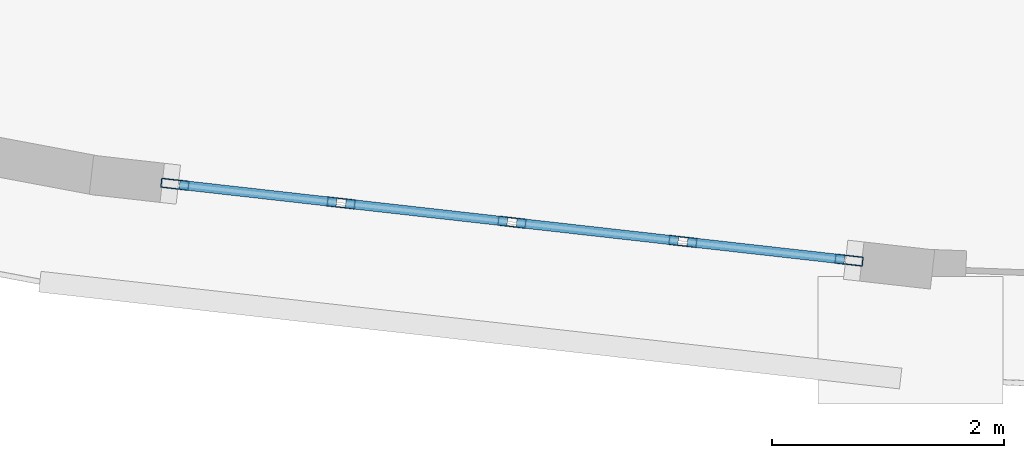
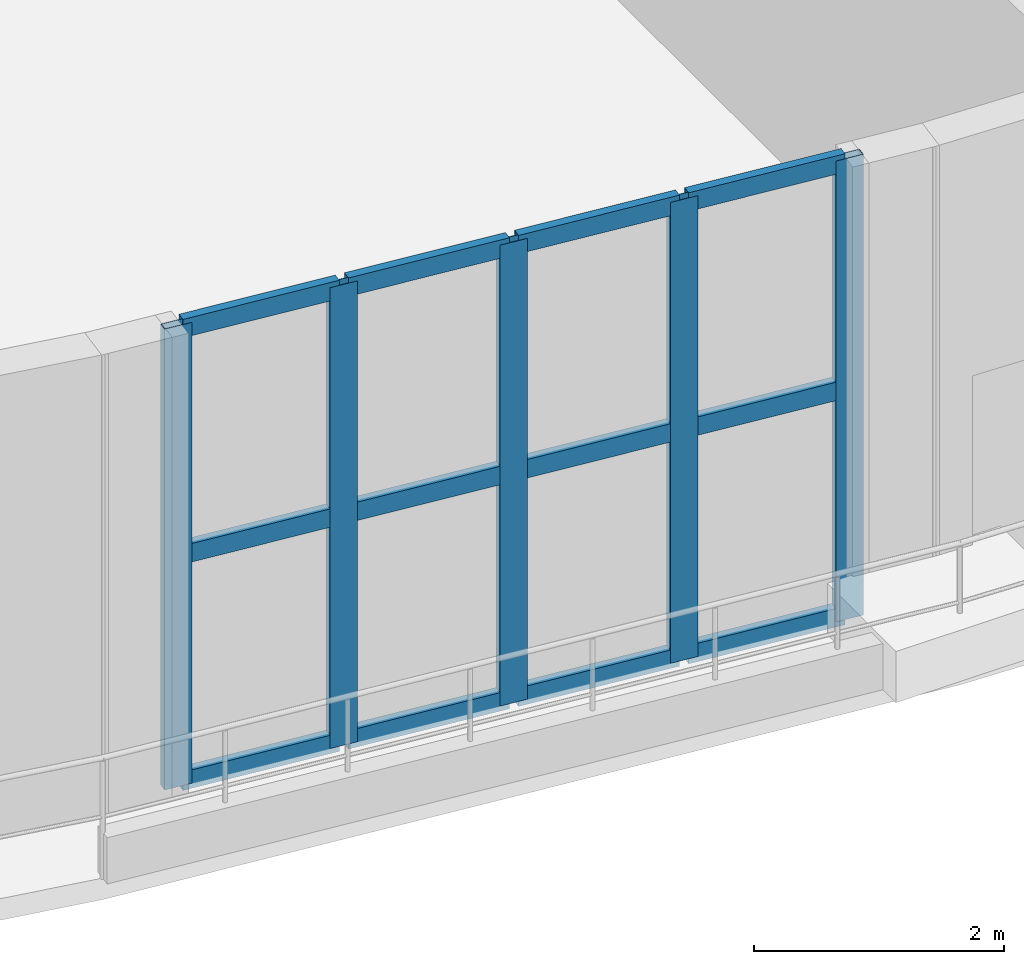
# One storey, part 4 of 25: 17 members, 1 element without a shape of its own.
"""IFC4 building model written with IfcOpenShell, lengths in metres."""

import ifcopenshell
import ifcopenshell.guid

model = None  # the IFC model being written
_history = None  # IfcOwnerHistory: only IFC2X3 demands one
_inside = {}  # id of a spatial element -> (the spatial element, [elements in it])
_under = {}  # id of a project, library or spatial element -> (it, [spatial elements below it])
_declared = {}  # id of a project -> (the project, [libraries it declares])
_typed = {}  # id of a type object -> (the type object, [elements of that type])
_made_of = {}  # id of a material, layer set ... -> (it, [elements and type objects made of it])


def new_model(schema):
    """Start an empty IFC model of exactly this schema.

    Asked for "IFC4X3", IfcOpenShell would pick the latest addendum, in which some entities
    have other attributes; the version numbers below select the first issue.
    IFC2X3 requires an IfcOwnerHistory on every rooted entity: one is made here for all.
    """
    global model, _history
    if schema == "IFC4X3":
        model = ifcopenshell.file(schema_version=(4, 3, 0, 0))
    else:
        model = ifcopenshell.file(schema=schema)
    _inside.clear()
    _under.clear()
    _declared.clear()
    _typed.clear()
    _made_of.clear()
    _history = None
    if model.schema == "IFC2X3":
        org = make("IfcOrganization", Name="unknown")
        user = make(
            "IfcPersonAndOrganization",
            ThePerson=make("IfcPerson", FamilyName="unknown"),
            TheOrganization=org,
        )
        app = make(
            "IfcApplication",
            ApplicationDeveloper=org,
            Version="unknown",
            ApplicationFullName="unknown",
            ApplicationIdentifier="unknown",
        )
        _history = make(
            "IfcOwnerHistory",
            OwningUser=user,
            OwningApplication=app,
            ChangeAction="ADDED",
            CreationDate=0,
        )
    return model


def make(cls, **values):
    """One entity of the class cls with the attributes given. An attribute that is None is left unset."""
    return model.create_entity(
        cls, **{name: value for name, value in values.items() if value is not None}
    )


def rooted(cls, **values):
    """An entity with a GlobalId (a new one), such as an element, a storey or a relation."""
    return make(cls, GlobalId=ifcopenshell.guid.new(), OwnerHistory=_history, **values)


def si_unit(unit_type, name, prefix=None):
    """IfcSIUnit, for example si_unit("LENGTHUNIT", "METRE", prefix="MILLI")."""
    return make("IfcSIUnit", UnitType=unit_type, Prefix=prefix, Name=name)


def assignment(units):
    """IfcUnitAssignment: the units of a project."""
    return None if units is None else make("IfcUnitAssignment", Units=units)


def point(xyz):
    """IfcCartesianPoint."""
    return None if xyz is None else make("IfcCartesianPoint", Coordinates=xyz)


def direction(xyz):
    """IfcDirection."""
    return None if xyz is None else make("IfcDirection", DirectionRatios=xyz)


def frame(location, z_axis=None, x_axis=None):
    """IfcAxis2Placement3D, a coordinate frame: its origin and axes. An axis left out is left unset."""
    return make(
        "IfcAxis2Placement3D",
        Location=point(location),
        Axis=direction(z_axis),
        RefDirection=direction(x_axis),
    )


def frame_2d(location, x_axis=None):
    """IfcAxis2Placement2D, a coordinate frame in the plane: its origin and x axis."""
    return make(
        "IfcAxis2Placement2D", Location=point(location), RefDirection=direction(x_axis)
    )


def origin():
    """The frame at (0, 0, 0) with its axes left unset."""
    return frame((0.0, 0.0, 0.0))


def origin_2d():
    """The frame at (0, 0) in the plane with its x axis left unset."""
    return frame_2d((0.0, 0.0))


def place(relative_to, where):
    """IfcLocalPlacement: puts the frame where relative to a parent placement (None: the world)."""
    return make(
        "IfcLocalPlacement", PlacementRelTo=relative_to, RelativePlacement=where
    )


def context(
    kind, dimensions, precision=None, world=None, true_north=None, identifier=None
):
    """IfcGeometricRepresentationContext, for example the 3D "Model" context."""
    return make(
        "IfcGeometricRepresentationContext",
        ContextIdentifier=identifier,
        ContextType=kind,
        CoordinateSpaceDimension=dimensions,
        Precision=precision,
        WorldCoordinateSystem=world,
        TrueNorth=true_north,
    )


def subcontext(parent, identifier, kind, view, scale=None):
    """IfcGeometricRepresentationSubContext, for example "Body" below "Model"."""
    return make(
        "IfcGeometricRepresentationSubContext",
        ContextIdentifier=identifier,
        ContextType=kind,
        ParentContext=parent,
        TargetScale=scale,
        TargetView=view,
    )


def project(units=None, contexts=None):
    """IfcProject with its units and contexts."""
    return rooted(
        "IfcProject",
        Name="project",
        RepresentationContexts=contexts,
        UnitsInContext=assignment(units),
    )


def spatial(cls, under=None, at=None, **own):
    """A site, building, storey or space (cls), placed at a placement, below another one or the project."""
    s = rooted(cls, ObjectPlacement=at, **own)
    if under is not None:
        _under.setdefault(under.id(), (under, []))[1].append(s)
    return s


def profile(cls, at=None, kind="AREA", **sizes):
    """A parametric profile (cls). Its sizes go by their IFC names, for example OverallWidth=200.0."""
    return make(cls, ProfileType=kind, Position=at, **sizes)


def hollow_rectangle(**sizes):
    """IfcRectangleHollowProfileDef."""
    return profile("IfcRectangleHollowProfileDef", **sizes)


def extrude(swept, where, along, depth):
    """IfcExtrudedAreaSolid: the profile swept, set in the frame where, extruded along a direction by depth."""
    return make(
        "IfcExtrudedAreaSolid",
        SweptArea=swept,
        Position=where,
        ExtrudedDirection=direction(along),
        Depth=depth,
    )


def shape(context_of_items, identifier, shape_type, items):
    """IfcShapeRepresentation: the items that make up one representation, for example the "Body"."""
    return make(
        "IfcShapeRepresentation",
        ContextOfItems=context_of_items,
        RepresentationIdentifier=identifier,
        RepresentationType=shape_type,
        Items=items,
    )


def material(Name=None, Category=None):
    """IfcMaterial."""
    return make("IfcMaterial", Name=Name, Category=Category)


def layer(
    of_material, thickness, ventilated=None, Name=None, Category=None, Priority=None
):
    """IfcMaterialLayer: one layer of a wall or slab, of a material (None: an air gap)."""
    return make(
        "IfcMaterialLayer",
        Material=of_material,
        LayerThickness=thickness,
        IsVentilated=ventilated,
        Name=Name,
        Category=Category,
        Priority=Priority,
    )


def layer_set(layers, Name=None):
    """IfcMaterialLayerSet."""
    return make("IfcMaterialLayerSet", MaterialLayers=layers, LayerSetName=Name)


def material_profile(
    of_material, cross_section, Name=None, Category=None, Priority=None
):
    """IfcMaterialProfile: a cross section and its material."""
    return make(
        "IfcMaterialProfile",
        Name=Name,
        Material=of_material,
        Profile=cross_section,
        Priority=Priority,
        Category=Category,
    )


def profile_set(profiles, Name=None, composite=None):
    """IfcMaterialProfileSet."""
    return make(
        "IfcMaterialProfileSet",
        Name=Name,
        MaterialProfiles=profiles,
        CompositeProfile=composite,
    )


def made_of(thing, what):
    """Note that an element or type object is made of a material, layer set ...; save() writes the relation."""
    if what is not None:
        _made_of.setdefault(what.id(), (what, []))[1].append(thing)
    return thing


def type_object(cls, material=None, **own):
    """A type object (cls), such as IfcWallType, which elements share."""
    return made_of(rooted(cls, **own), material)


def element(
    cls,
    number,
    at=None,
    inside=None,
    cuts=None,
    type_object=None,
    material=None,
    context=None,
    identifier="Body",
    shape_type=None,
    held_by="IfcProductDefinitionShape",
    body=None,
    shapes=None,
    **own,
):
    """One element of the class cls, such as IfcWall. Its Tag is "e" and its number.

    at: its placement. inside: the storey or other place that contains it. cuts: it is an
    opening in that element (IfcRelVoidsElement). A single representation is given by context,
    identifier, shape_type and body (its items); several are given by shapes. held_by: the class
    of the entity that holds the representations. save() writes the other relations.
    """
    e = rooted(cls, Tag="e%d" % number, ObjectPlacement=at, **own)
    if body is not None:
        shapes = [shape(context, identifier, shape_type, body)]
    if shapes is not None:
        e.Representation = make(held_by, Representations=shapes)
    if inside is not None:
        _inside.setdefault(inside.id(), (inside, []))[1].append(e)
    if cuts is not None:
        rooted(
            "IfcRelVoidsElement", RelatingBuildingElement=cuts, RelatedOpeningElement=e
        )
    if type_object is not None:
        _typed.setdefault(type_object.id(), (type_object, []))[1].append(e)
    return made_of(e, material)


def aggregate(whole, parts):
    """IfcRelAggregates: a whole, such as a stair, and the parts it consists of."""
    return rooted("IfcRelAggregates", RelatingObject=whole, RelatedObjects=parts)


def save(model, path):
    """Write the relations noted so far, then the file.

    IfcRelAggregates (storeys below a building ...), IfcRelContainedInSpatialStructure (elements
    in a storey), IfcRelDefinesByType, IfcRelAssociatesMaterial and IfcRelDeclares: one each for
    every whole, place, type object, material and project.
    """
    for whole, parts in _under.values():
        aggregate(whole, parts)
    for where, things in _inside.values():
        rooted(
            "IfcRelContainedInSpatialStructure",
            RelatedElements=things,
            RelatingStructure=where,
        )
    for kind, things in _typed.values():
        rooted("IfcRelDefinesByType", RelatedObjects=things, RelatingType=kind)
    for what, things in _made_of.values():
        rooted("IfcRelAssociatesMaterial", RelatedObjects=things, RelatingMaterial=what)
    for by, libraries in _declared.values():
        rooted("IfcRelDeclares", RelatingContext=by, RelatedDefinitions=libraries)
    model.write(path)


model = new_model("IFC4")

# Units and contexts
model_context = context("Model", 3, precision=1e-05, world=origin(), true_north=direction((0.0, 1.0)))
body_context = subcontext(model_context, "Body", "Model", "MODEL_VIEW")
ifc_project = project(units=[si_unit("LENGTHUNIT", "METRE"), si_unit("AREAUNIT", "SQUARE_METRE"), si_unit("VOLUMEUNIT", "CUBIC_METRE"), si_unit("PLANEANGLEUNIT", "RADIAN"), si_unit("MASSUNIT", "GRAM", prefix="KILO")], contexts=[model_context])

# Site, building, storey
site_placement = place(None, origin())
site = spatial("IfcSite", under=ifc_project, at=site_placement, CompositionType="ELEMENT")
building_placement = place(site_placement, origin())
building = spatial("IfcBuilding", under=site, at=building_placement, Name="Miruveldt Soraemaru", CompositionType="ELEMENT")
storey_placement = place(building_placement, frame((0.0, 0.0, 4.800048828125)))
storey = spatial("IfcBuildingStorey", under=building, at=storey_placement, Name="L02", CompositionType="ELEMENT", Elevation=4.800048828125)

# Curtain wall, members
ifc_material = material(Name="Anodised aluminium EN AW-6063 T6", Category="aluminium")
ifc_layer = layer(ifc_material, 0.239990234375, Name="Anodised aluminium EN AW-6063 T6", Category="aluminium")
ifc_layer_set = layer_set([ifc_layer], Name="Anodised aluminium EN AW-6063 T6")
curtain_wall_type = type_object("IfcCurtainWallType", Name="CW-SYS-1", PredefinedType="USERDEFINED", material=ifc_layer_set)
curtain_wall_placement = place(storey_placement, origin())
curtain_wall = element("IfcCurtainWall", 1, at=curtain_wall_placement, inside=storey, type_object=curtain_wall_type, Name="L02 Curtain Wall Bay 23", ObjectType="STOREFRONT", PredefinedType="USERDEFINED")
ifc_material_profile_1 = material_profile(ifc_material, hollow_rectangle(XDim=0.080078125, YDim=0.239990234375, WallThickness=0.0048828125, at=origin_2d()), Name="Anodised aluminium EN AW-6063 T6", Category="aluminium")
ifc_profile_set_1 = profile_set([ifc_material_profile_1], Name="Anodised aluminium EN AW-6063 T6")
member_type_1 = type_object("IfcMemberType", Name="CWM-1", PredefinedType="MULLION", material=ifc_profile_set_1)
member_1_placement = place(storey_placement, frame((30.29833984375, 15.26025390625, 0.0), z_axis=(0.0, 0.0, 1.0), x_axis=(0.111786043709, 0.993732298173, 0.0)))
member_1 = element("IfcMember", 2, at=member_1_placement, type_object=member_type_1, Name="CW-1 mullion 1", PredefinedType="MULLION", context=body_context, shape_type="SweptSolid", body=[
    extrude(hollow_rectangle(XDim=0.080078125, YDim=0.239990234375, WallThickness=0.0048828125, at=origin_2d()), origin(), (0.0, 0.0, 1.0), 4.5),
])
member_2_placement = place(storey_placement, frame((31.734130859375, 15.0986328125, 0.0), z_axis=(0.0, 0.0, 1.0), x_axis=(0.111786043709, 0.993732298173, 0.0)))
member_2 = element("IfcMember", 3, at=member_2_placement, type_object=member_type_1, Name="CW-1 mullion 2", PredefinedType="MULLION", context=body_context, shape_type="SweptSolid", body=[
    extrude(hollow_rectangle(XDim=0.080078125, YDim=0.239990234375, WallThickness=0.0048828125, at=origin_2d()), origin(), (0.0, 0.0, 1.0), 4.5),
])
member_3_placement = place(storey_placement, frame((33.20947265625, 14.932861328125, 0.0), z_axis=(0.0, 0.0, 1.0), x_axis=(0.111786043709, 0.993732298173, 0.0)))
member_3 = element("IfcMember", 4, at=member_3_placement, type_object=member_type_1, Name="CW-1 mullion 3", PredefinedType="MULLION", context=body_context, shape_type="SweptSolid", body=[
    extrude(hollow_rectangle(XDim=0.080078125, YDim=0.239990234375, WallThickness=0.0048828125, at=origin_2d()), origin(), (0.0, 0.0, 1.0), 4.5),
])
member_4_placement = place(storey_placement, frame((34.68505859375, 14.766845703125, 0.0), z_axis=(0.0, 0.0, 1.0), x_axis=(0.111786043709, 0.993732298173, 0.0)))
member_4 = element("IfcMember", 5, at=member_4_placement, type_object=member_type_1, Name="CW-1 mullion 4", PredefinedType="MULLION", context=body_context, shape_type="SweptSolid", body=[
    extrude(hollow_rectangle(XDim=0.080078125, YDim=0.239990234375, WallThickness=0.0048828125, at=origin_2d()), origin(), (0.0, 0.0, 1.0), 4.5),
])
member_5_placement = place(storey_placement, frame((36.12060546875, 14.605224609375, 0.0), z_axis=(0.0, 0.0, 1.0), x_axis=(0.111786043709, 0.993732298173, 0.0)))
member_5 = element("IfcMember", 6, at=member_5_placement, type_object=member_type_1, Name="CW-1 mullion 5", PredefinedType="MULLION", context=body_context, shape_type="SweptSolid", body=[
    extrude(hollow_rectangle(XDim=0.080078125, YDim=0.239990234375, WallThickness=0.0048828125, at=origin_2d()), origin(), (0.0, 0.0, 1.0), 4.5),
])
ifc_material_profile_2 = material_profile(ifc_material, hollow_rectangle(XDim=0.080078125, YDim=0.179931640625, WallThickness=0.00390625, at=origin_2d()), Name="Anodised aluminium EN AW-6063 T6", Category="aluminium")
ifc_profile_set_2 = profile_set([ifc_material_profile_2], Name="Anodised aluminium EN AW-6063 T6")
member_type_2 = type_object("IfcMemberType", Name="CWT-1", PredefinedType="USERDEFINED", material=ifc_profile_set_2)
member_6_placement = place(storey_placement, frame((30.338134765625, 15.255859375, 0.0400390625), z_axis=(0.993730074002, -0.111805813907, 0.0), x_axis=(0.111805813907, 0.993730074002, 0.0)))
member_6 = element("IfcMember", 7, at=member_6_placement, type_object=member_type_2, Name="CW-1 transom 1.1", ObjectType="TRANSOM", PredefinedType="USERDEFINED", context=body_context, shape_type="SweptSolid", body=[
    extrude(hollow_rectangle(XDim=0.080078125, YDim=0.179931640625, WallThickness=0.00390625, at=origin_2d()), origin(), (0.0, 0.0, 1.0), 1.36474609375),
])
member_7_placement = place(storey_placement, frame((30.338134765625, 15.255859375, 2.25), z_axis=(0.993730074002, -0.111805813907, 0.0), x_axis=(0.111805813907, 0.993730074002, 0.0)))
member_7 = element("IfcMember", 8, at=member_7_placement, type_object=member_type_2, Name="CW-1 transom 1.2", ObjectType="TRANSOM", PredefinedType="USERDEFINED", context=body_context, shape_type="SweptSolid", body=[
    extrude(hollow_rectangle(XDim=0.080078125, YDim=0.179931640625, WallThickness=0.00390625, at=origin_2d()), origin(), (0.0, 0.0, 1.0), 1.36474609375),
])
member_8_placement = place(storey_placement, frame((30.338134765625, 15.255859375, 4.4599609375), z_axis=(0.993730074002, -0.111805813907, 0.0), x_axis=(0.111805813907, 0.993730074002, 0.0)))
member_8 = element("IfcMember", 9, at=member_8_placement, type_object=member_type_2, Name="CW-1 transom 1.3", ObjectType="TRANSOM", PredefinedType="USERDEFINED", context=body_context, shape_type="SweptSolid", body=[
    extrude(hollow_rectangle(XDim=0.080078125, YDim=0.179931640625, WallThickness=0.00390625, at=origin_2d()), origin(), (0.0, 0.0, 1.0), 1.36474609375),
])
member_9_placement = place(storey_placement, frame((31.773681640625, 15.09423828125, 0.0400390625), z_axis=(0.993736624498, -0.111747577746, 0.0), x_axis=(0.111747577746, 0.993736624498, 0.0)))
member_9 = element("IfcMember", 10, at=member_9_placement, type_object=member_type_2, Name="CW-1 transom 2.1", ObjectType="TRANSOM", PredefinedType="USERDEFINED", context=body_context, shape_type="SweptSolid", body=[
    extrude(hollow_rectangle(XDim=0.080078125, YDim=0.179931640625, WallThickness=0.00390625, at=origin_2d()), origin(), (0.0, 0.0, 1.0), 1.40478515625),
])
member_10_placement = place(storey_placement, frame((31.773681640625, 15.09423828125, 2.25), z_axis=(0.993736624498, -0.111747577746, 0.0), x_axis=(0.111747577746, 0.993736624498, 0.0)))
member_10 = element("IfcMember", 11, at=member_10_placement, type_object=member_type_2, Name="CW-1 transom 2.2", ObjectType="TRANSOM", PredefinedType="USERDEFINED", context=body_context, shape_type="SweptSolid", body=[
    extrude(hollow_rectangle(XDim=0.080078125, YDim=0.179931640625, WallThickness=0.00390625, at=origin_2d()), origin(), (0.0, 0.0, 1.0), 1.40478515625),
])
member_11_placement = place(storey_placement, frame((31.773681640625, 15.09423828125, 4.4599609375), z_axis=(0.993736624498, -0.111747577746, 0.0), x_axis=(0.111747577746, 0.993736624498, 0.0)))
member_11 = element("IfcMember", 12, at=member_11_placement, type_object=member_type_2, Name="CW-1 transom 2.3", ObjectType="TRANSOM", PredefinedType="USERDEFINED", context=body_context, shape_type="SweptSolid", body=[
    extrude(hollow_rectangle(XDim=0.080078125, YDim=0.179931640625, WallThickness=0.00390625, at=origin_2d()), origin(), (0.0, 0.0, 1.0), 1.40478515625),
])
member_12_placement = place(storey_placement, frame((33.249267578125, 14.92822265625, 0.0400390625), z_axis=(0.993736624498, -0.111747577746, 0.0), x_axis=(0.111747577746, 0.993736624498, 0.0)))
member_12 = element("IfcMember", 13, at=member_12_placement, type_object=member_type_2, Name="CW-1 transom 3.1", ObjectType="TRANSOM", PredefinedType="USERDEFINED", context=body_context, shape_type="SweptSolid", body=[
    extrude(hollow_rectangle(XDim=0.080078125, YDim=0.179931640625, WallThickness=0.00390625, at=origin_2d()), origin(), (0.0, 0.0, 1.0), 1.40478515625),
])
member_13_placement = place(storey_placement, frame((33.249267578125, 14.92822265625, 2.25), z_axis=(0.993736624498, -0.111747577746, 0.0), x_axis=(0.111747577746, 0.993736624498, 0.0)))
member_13 = element("IfcMember", 14, at=member_13_placement, type_object=member_type_2, Name="CW-1 transom 3.2", ObjectType="TRANSOM", PredefinedType="USERDEFINED", context=body_context, shape_type="SweptSolid", body=[
    extrude(hollow_rectangle(XDim=0.080078125, YDim=0.179931640625, WallThickness=0.00390625, at=origin_2d()), origin(), (0.0, 0.0, 1.0), 1.40478515625),
])
member_14_placement = place(storey_placement, frame((33.249267578125, 14.92822265625, 4.4599609375), z_axis=(0.993736624498, -0.111747577746, 0.0), x_axis=(0.111747577746, 0.993736624498, 0.0)))
member_14 = element("IfcMember", 15, at=member_14_placement, type_object=member_type_2, Name="CW-1 transom 3.3", ObjectType="TRANSOM", PredefinedType="USERDEFINED", context=body_context, shape_type="SweptSolid", body=[
    extrude(hollow_rectangle(XDim=0.080078125, YDim=0.179931640625, WallThickness=0.00390625, at=origin_2d()), origin(), (0.0, 0.0, 1.0), 1.40478515625),
])
member_15_placement = place(storey_placement, frame((34.724609375, 14.76220703125, 0.0400390625), z_axis=(0.993749934157, -0.11162915552, 0.0), x_axis=(0.11162915552, 0.993749934157, 0.0)))
member_15 = element("IfcMember", 16, at=member_15_placement, type_object=member_type_2, Name="CW-1 transom 4.1", ObjectType="TRANSOM", PredefinedType="USERDEFINED", context=body_context, shape_type="SweptSolid", body=[
    extrude(hollow_rectangle(XDim=0.080078125, YDim=0.179931640625, WallThickness=0.00390625, at=origin_2d()), origin(), (0.0, 0.0, 1.0), 1.36474609375),
])
member_16_placement = place(storey_placement, frame((34.724609375, 14.76220703125, 2.25), z_axis=(0.993749934157, -0.11162915552, 0.0), x_axis=(0.11162915552, 0.993749934157, 0.0)))
member_16 = element("IfcMember", 17, at=member_16_placement, type_object=member_type_2, Name="CW-1 transom 4.2", ObjectType="TRANSOM", PredefinedType="USERDEFINED", context=body_context, shape_type="SweptSolid", body=[
    extrude(hollow_rectangle(XDim=0.080078125, YDim=0.179931640625, WallThickness=0.00390625, at=origin_2d()), origin(), (0.0, 0.0, 1.0), 1.36474609375),
])
member_17_placement = place(storey_placement, frame((34.724609375, 14.76220703125, 4.4599609375), z_axis=(0.993749934157, -0.11162915552, 0.0), x_axis=(0.11162915552, 0.993749934157, 0.0)))
member_17 = element("IfcMember", 18, at=member_17_placement, type_object=member_type_2, Name="CW-1 transom 4.3", ObjectType="TRANSOM", PredefinedType="USERDEFINED", context=body_context, shape_type="SweptSolid", body=[
    extrude(hollow_rectangle(XDim=0.080078125, YDim=0.179931640625, WallThickness=0.00390625, at=origin_2d()), origin(), (0.0, 0.0, 1.0), 1.36474609375),
])
aggregate(curtain_wall, [member_1, member_2, member_3, member_4, member_5, member_6, member_7, member_8, member_9, member_10, member_11, member_12, member_13, member_14, member_15, member_16, member_17])

save(model, "model.ifc")
